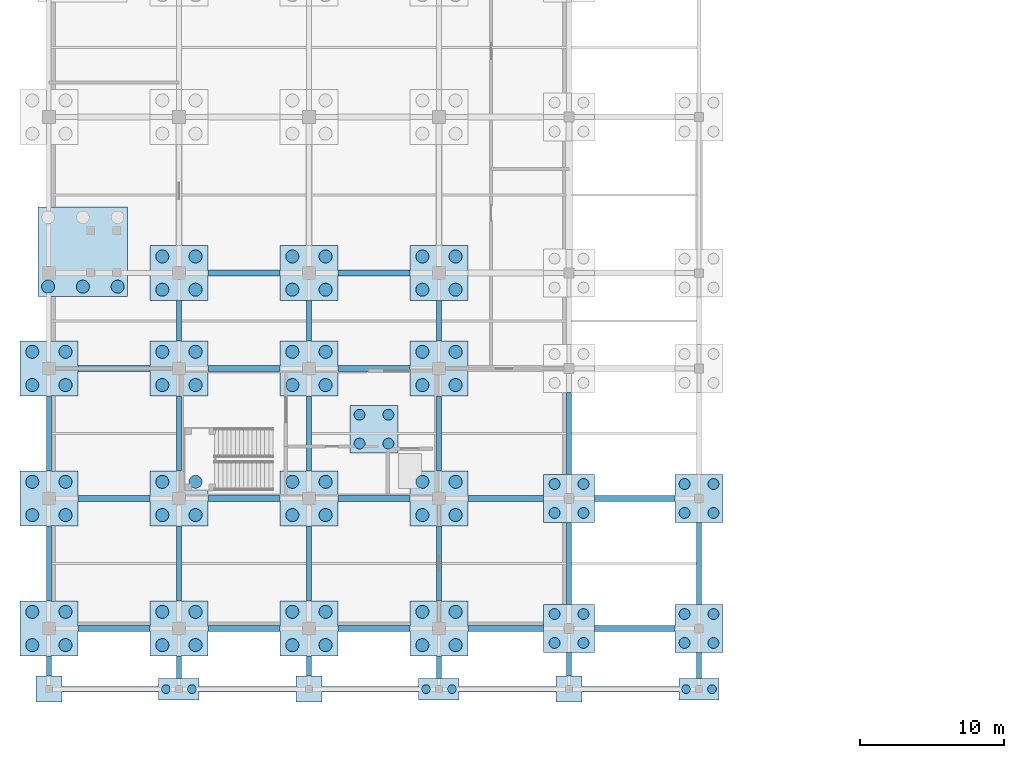
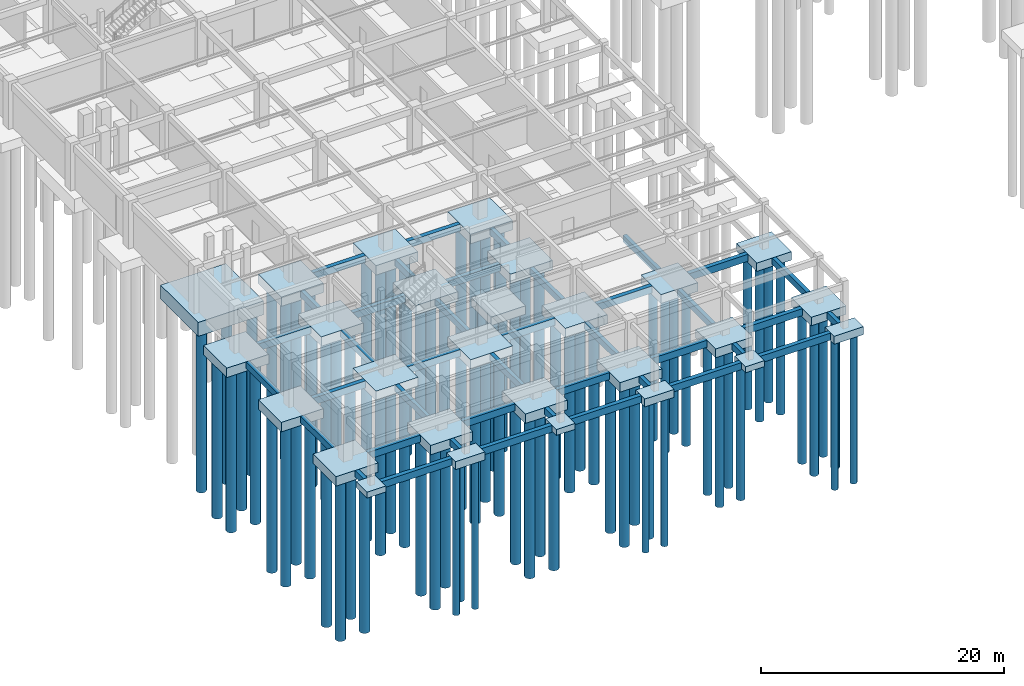
# One storey, part 1 of 33: 89 piles, 67 footings.
"""IFC4 building model written with IfcOpenShell, lengths in metres."""

from ifc_helpers import new_model, si_unit, direction, frame, origin, origin_2d, place, context, subcontext, project, spatial, rectangle, circle, extrude, material, material_profile, profile_set, type_object, element, save


model = new_model("IFC4")

# Units and contexts
model_context = context("Model", 3, precision=1e-05, world=origin(), true_north=direction((0.0, 1.0)))
body_context = subcontext(model_context, "Body", "Model", "MODEL_VIEW")
ifc_project = project(units=[si_unit("LENGTHUNIT", "METRE"), si_unit("AREAUNIT", "SQUARE_METRE"), si_unit("VOLUMEUNIT", "CUBIC_METRE"), si_unit("PLANEANGLEUNIT", "RADIAN"), si_unit("MASSUNIT", "GRAM", prefix="KILO")], contexts=[model_context])

# Site, building, storey
site_placement = place(None, origin())
site = spatial("IfcSite", under=ifc_project, at=site_placement, CompositionType="ELEMENT")
building_placement = place(site_placement, origin())
building = spatial("IfcBuilding", under=site, at=building_placement, Name="Suirenkawa Promenade Aquatics Centre", CompositionType="ELEMENT")
storey_placement = place(building_placement, frame((0.0, 0.0, -4.800048828125)))
storey = spatial("IfcBuildingStorey", under=building, at=storey_placement, Name="B1", CompositionType="ELEMENT", Elevation=-4.800048828125)

# Footings
ifc_material = material(Name="Concrete M35", Category="concrete")
footing_type_1 = type_object("IfcFootingType", Name="FT-GB-350x650", PredefinedType="FOOTING_BEAM", material=ifc_material)
footing_1_placement = place(storey_placement, frame((0.0, 1.60009765625, -0.64990234375), z_axis=(0.0, 0.0, 1.0), x_axis=(0.0, 1.0, 0.0)))
element("IfcFooting", 1, at=footing_1_placement, inside=storey, type_object=footing_type_1, Name="Ground tie beam GB-06 GB-0166", PredefinedType="FOOTING_BEAM", context=body_context, shape_type="SweptSolid", body=[
    extrude(rectangle(XDim=1.39990234375, YDim=0.35009765625, at=origin_2d()), origin(), (0.0, 0.0, 1.0), 0.64990234375),
])
for number, where, z_axis, x_axis, name in (
    (2, (0.0, 8.699951171875, -0.64990234375), (0.0, 0.0, 1.0), (0.0, 1.0, 0.0), "Ground tie beam GB-06 GB-0167"),
    (3, (0.0, 17.699951171875, -0.64990234375), (0.0, 0.0, 1.0), (0.0, 1.0, 0.0), "Ground tie beam GB-06 GB-0168"),
):
    element("IfcFooting", number, at=place(storey_placement, frame(where, z_axis=z_axis, x_axis=x_axis)), inside=storey, type_object=footing_type_1, Name=name, PredefinedType="FOOTING_BEAM", context=body_context, shape_type="SweptSolid", body=[
        extrude(rectangle(XDim=5.199951171875, YDim=0.35009765625, at=origin_2d()), origin(), (0.0, 0.0, 1.0), 0.64990234375),
    ])
footing_2_placement = place(storey_placement, frame((9.0, 1.52490234375, -0.64990234375), z_axis=(0.0, 0.0, 1.0), x_axis=(0.0, 1.0, 0.0)))
element("IfcFooting", 4, at=footing_2_placement, inside=storey, type_object=footing_type_1, Name="Ground tie beam GB-06 GB-0175", PredefinedType="FOOTING_BEAM", context=body_context, shape_type="SweptSolid", body=[
    extrude(rectangle(XDim=1.550048828125, YDim=0.35009765625, at=origin_2d()), origin(), (0.0, 0.0, 1.0), 0.64990234375),
])
for number, where, z_axis, x_axis, name in (
    (5, (9.0, 8.699951171875, -0.64990234375), (0.0, 0.0, 1.0), (0.0, 1.0, 0.0), "Ground tie beam GB-06 GB-0176"),
    (6, (9.0, 17.699951171875, -0.64990234375), (0.0, 0.0, 1.0), (0.0, 1.0, 0.0), "Ground tie beam GB-06 GB-0177"),
):
    element("IfcFooting", number, at=place(storey_placement, frame(where, z_axis=z_axis, x_axis=x_axis)), inside=storey, type_object=footing_type_1, Name=name, PredefinedType="FOOTING_BEAM", context=body_context, shape_type="SweptSolid", body=[
        extrude(rectangle(XDim=5.199951171875, YDim=0.35009765625, at=origin_2d()), origin(), (0.0, 0.0, 1.0), 0.64990234375),
    ])
footing_3_placement = place(storey_placement, frame((9.0, 25.5, -0.64990234375), z_axis=(0.0, 0.0, 1.0), x_axis=(0.0, 1.0, 0.0)))
element("IfcFooting", 7, at=footing_3_placement, inside=storey, type_object=footing_type_1, Name="Ground tie beam GB-06 GB-0178", PredefinedType="FOOTING_BEAM", context=body_context, shape_type="SweptSolid", body=[
    extrude(rectangle(XDim=2.800048828125, YDim=0.35009765625, at=origin_2d()), origin(), (0.0, 0.0, 1.0), 0.64990234375),
])
footing_4_placement = place(storey_placement, frame((18.0, 1.60009765625, -0.64990234375), z_axis=(0.0, 0.0, 1.0), x_axis=(0.0, 1.0, 0.0)))
element("IfcFooting", 8, at=footing_4_placement, inside=storey, type_object=footing_type_1, Name="Ground tie beam GB-06 GB-0188", PredefinedType="FOOTING_BEAM", context=body_context, shape_type="SweptSolid", body=[
    extrude(rectangle(XDim=1.39990234375, YDim=0.35009765625, at=origin_2d()), origin(), (0.0, 0.0, 1.0), 0.64990234375),
])
for number, where, z_axis, x_axis, name in (
    (9, (18.0, 8.699951171875, -0.64990234375), (0.0, 0.0, 1.0), (0.0, 1.0, 0.0), "Ground tie beam GB-06 GB-0189"),
    (10, (18.0, 17.699951171875, -0.64990234375), (0.0, 0.0, 1.0), (0.0, 1.0, 0.0), "Ground tie beam GB-06 GB-0190"),
):
    element("IfcFooting", number, at=place(storey_placement, frame(where, z_axis=z_axis, x_axis=x_axis)), inside=storey, type_object=footing_type_1, Name=name, PredefinedType="FOOTING_BEAM", context=body_context, shape_type="SweptSolid", body=[
        extrude(rectangle(XDim=5.199951171875, YDim=0.35009765625, at=origin_2d()), origin(), (0.0, 0.0, 1.0), 0.64990234375),
    ])
footing_5_placement = place(storey_placement, frame((18.0, 25.5, -0.64990234375), z_axis=(0.0, 0.0, 1.0), x_axis=(0.0, 1.0, 0.0)))
element("IfcFooting", 11, at=footing_5_placement, inside=storey, type_object=footing_type_1, Name="Ground tie beam GB-06 GB-0191", PredefinedType="FOOTING_BEAM", context=body_context, shape_type="SweptSolid", body=[
    extrude(rectangle(XDim=2.800048828125, YDim=0.35009765625, at=origin_2d()), origin(), (0.0, 0.0, 1.0), 0.64990234375),
])
footing_6_placement = place(storey_placement, frame((27.0, 1.52490234375, -0.64990234375), z_axis=(0.0, 0.0, 1.0), x_axis=(0.0, 1.0, 0.0)))
element("IfcFooting", 12, at=footing_6_placement, inside=storey, type_object=footing_type_1, Name="Ground tie beam GB-06 GB-0201", PredefinedType="FOOTING_BEAM", context=body_context, shape_type="SweptSolid", body=[
    extrude(rectangle(XDim=1.550048828125, YDim=0.35009765625, at=origin_2d()), origin(), (0.0, 0.0, 1.0), 0.64990234375),
])
for number, where, z_axis, x_axis, name in (
    (13, (27.0, 8.699951171875, -0.64990234375), (0.0, 0.0, 1.0), (0.0, 1.0, 0.0), "Ground tie beam GB-06 GB-0202"),
    (14, (27.0, 17.699951171875, -0.64990234375), (0.0, 0.0, 1.0), (0.0, 1.0, 0.0), "Ground tie beam GB-06 GB-0203"),
):
    element("IfcFooting", number, at=place(storey_placement, frame(where, z_axis=z_axis, x_axis=x_axis)), inside=storey, type_object=footing_type_1, Name=name, PredefinedType="FOOTING_BEAM", context=body_context, shape_type="SweptSolid", body=[
        extrude(rectangle(XDim=5.199951171875, YDim=0.35009765625, at=origin_2d()), origin(), (0.0, 0.0, 1.0), 0.64990234375),
    ])
footing_7_placement = place(storey_placement, frame((27.0, 25.5, -0.64990234375), z_axis=(0.0, 0.0, 1.0), x_axis=(0.0, 1.0, 0.0)))
element("IfcFooting", 15, at=footing_7_placement, inside=storey, type_object=footing_type_1, Name="Ground tie beam GB-06 GB-0204", PredefinedType="FOOTING_BEAM", context=body_context, shape_type="SweptSolid", body=[
    extrude(rectangle(XDim=2.800048828125, YDim=0.35009765625, at=origin_2d()), origin(), (0.0, 0.0, 1.0), 0.64990234375),
])
footing_8_placement = place(storey_placement, frame((36.0, 1.72509765625, -0.64990234375), z_axis=(0.0, 0.0, 1.0), x_axis=(0.0, 1.0, 0.0)))
element("IfcFooting", 16, at=footing_8_placement, inside=storey, type_object=footing_type_1, Name="Ground tie beam GB-06 GB-0214", PredefinedType="FOOTING_BEAM", context=body_context, shape_type="SweptSolid", body=[
    extrude(rectangle(XDim=1.64990234375, YDim=0.35009765625, at=origin_2d()), origin(), (0.0, 0.0, 1.0), 0.64990234375),
])
for number, where, z_axis, x_axis, name in (
    (17, (36.0, 8.699951171875, -0.64990234375), (0.0, 0.0, 1.0), (0.0, 1.0, 0.0), "Ground tie beam GB-06 GB-0215"),
    (18, (36.0, 17.699951171875, -0.64990234375), (0.0, 0.0, 1.0), (0.0, 1.0, 0.0), "Ground tie beam GB-06 GB-0216"),
):
    element("IfcFooting", number, at=place(storey_placement, frame(where, z_axis=z_axis, x_axis=x_axis)), inside=storey, type_object=footing_type_1, Name=name, PredefinedType="FOOTING_BEAM", context=body_context, shape_type="SweptSolid", body=[
        extrude(rectangle(XDim=5.699951171875, YDim=0.35009765625, at=origin_2d()), origin(), (0.0, 0.0, 1.0), 0.64990234375),
    ])
footing_9_placement = place(storey_placement, frame((45.0, 1.64990234375, -0.64990234375), z_axis=(0.0, 0.0, 1.0), x_axis=(0.0, 1.0, 0.0)))
element("IfcFooting", 19, at=footing_9_placement, inside=storey, type_object=footing_type_1, Name="Ground tie beam GB-06 GB-0227", PredefinedType="FOOTING_BEAM", context=body_context, shape_type="SweptSolid", body=[
    extrude(rectangle(XDim=1.800048828125, YDim=0.35009765625, at=origin_2d()), origin(), (0.0, 0.0, 1.0), 0.64990234375),
])
footing_10_placement = place(storey_placement, frame((45.0, 8.699951171875, -0.64990234375), z_axis=(0.0, 0.0, 1.0), x_axis=(0.0, 1.0, 0.0)))
element("IfcFooting", 20, at=footing_10_placement, inside=storey, type_object=footing_type_1, Name="Ground tie beam GB-06 GB-0228", PredefinedType="FOOTING_BEAM", context=body_context, shape_type="SweptSolid", body=[
    extrude(rectangle(XDim=5.699951171875, YDim=0.35009765625, at=origin_2d()), origin(), (0.0, 0.0, 1.0), 0.64990234375),
])
footing_type_2 = type_object("IfcFootingType", Name="FT-GB-400x700", PredefinedType="FOOTING_BEAM", material=ifc_material)
for number, where, z_axis, x_axis, name in (
    (21, (4.25, 0.0, -0.69970703125), (0.0, 0.0, 1.0), (1.0, 0.0, 0.0), "Ground tie beam GB-01 GB-0001"),
    (22, (13.75, 0.0, -0.69970703125), (0.0, 0.0, 1.0), (1.0, 0.0, 0.0), "Ground tie beam GB-01 GB-0002"),
    (23, (22.25, 0.0, -0.69970703125), (0.0, 0.0, 1.0), (1.0, 0.0, 0.0), "Ground tie beam GB-01 GB-0003"),
    (24, (31.75, 0.0, -0.69970703125), (0.0, 0.0, 1.0), (1.0, 0.0, 0.0), "Ground tie beam GB-01 GB-0004"),
    (25, (40.25, 0.0, -0.69970703125), (0.0, 0.0, 1.0), (1.0, 0.0, 0.0), "Ground tie beam GB-01 GB-0005"),
):
    element("IfcFooting", number, at=place(storey_placement, frame(where, z_axis=z_axis, x_axis=x_axis)), inside=storey, type_object=footing_type_2, Name=name, PredefinedType="FOOTING_BEAM", context=body_context, shape_type="SweptSolid", body=[
        extrude(rectangle(XDim=6.699951171875, YDim=0.39990234375, at=origin_2d()), origin(), (0.0, 0.0, 1.0), 0.699951171875),
    ])
for number, where, z_axis, x_axis, name in (
    (26, (4.5, 4.199951171875, -0.69970703125), (0.0, 0.0, 1.0), (1.0, 0.0, 0.0), "Ground tie beam GB-01 GB-0013"),
    (27, (13.5, 4.199951171875, -0.69970703125), (0.0, 0.0, 1.0), (1.0, 0.0, 0.0), "Ground tie beam GB-01 GB-0014"),
    (28, (22.5, 4.199951171875, -0.69970703125), (0.0, 0.0, 1.0), (1.0, 0.0, 0.0), "Ground tie beam GB-01 GB-0015"),
):
    element("IfcFooting", number, at=place(storey_placement, frame(where, z_axis=z_axis, x_axis=x_axis)), inside=storey, type_object=footing_type_2, Name=name, PredefinedType="FOOTING_BEAM", context=body_context, shape_type="SweptSolid", body=[
        extrude(rectangle(XDim=5.0, YDim=0.39990234375, at=origin_2d()), origin(), (0.0, 0.0, 1.0), 0.699951171875),
    ])
footing_11_placement = place(storey_placement, frame((31.625, 4.199951171875, -0.69970703125), z_axis=(0.0, 0.0, 1.0), x_axis=(1.0, 0.0, 0.0)))
element("IfcFooting", 29, at=footing_11_placement, inside=storey, type_object=footing_type_2, Name="Ground tie beam GB-01 GB-0016", PredefinedType="FOOTING_BEAM", context=body_context, shape_type="SweptSolid", body=[
    extrude(rectangle(XDim=5.25, YDim=0.39990234375, at=origin_2d()), origin(), (0.0, 0.0, 1.0), 0.699951171875),
])
footing_12_placement = place(storey_placement, frame((40.550048828125, 4.199951171875, -0.69970703125), z_axis=(0.0, 0.0, 1.0), x_axis=(1.0, 0.0, 0.0)))
element("IfcFooting", 30, at=footing_12_placement, inside=storey, type_object=footing_type_2, Name="Ground tie beam GB-01 GB-0017", PredefinedType="FOOTING_BEAM", context=body_context, shape_type="SweptSolid", body=[
    extrude(rectangle(XDim=5.60009765625, YDim=0.39990234375, at=origin_2d()), origin(), (0.0, 0.0, 1.0), 0.699951171875),
])
for number, where, z_axis, x_axis, name in (
    (31, (4.5, 13.199951171875, -0.69970703125), (0.0, 0.0, 1.0), (1.0, 0.0, 0.0), "Ground tie beam GB-01 GB-0029"),
    (32, (13.5, 13.199951171875, -0.69970703125), (0.0, 0.0, 1.0), (1.0, 0.0, 0.0), "Ground tie beam GB-01 GB-0030"),
    (33, (22.5, 13.199951171875, -0.69970703125), (0.0, 0.0, 1.0), (1.0, 0.0, 0.0), "Ground tie beam GB-01 GB-0031"),
):
    element("IfcFooting", number, at=place(storey_placement, frame(where, z_axis=z_axis, x_axis=x_axis)), inside=storey, type_object=footing_type_2, Name=name, PredefinedType="FOOTING_BEAM", context=body_context, shape_type="SweptSolid", body=[
        extrude(rectangle(XDim=5.0, YDim=0.39990234375, at=origin_2d()), origin(), (0.0, 0.0, 1.0), 0.699951171875),
    ])
footing_13_placement = place(storey_placement, frame((31.625, 13.199951171875, -0.69970703125), z_axis=(0.0, 0.0, 1.0), x_axis=(1.0, 0.0, 0.0)))
element("IfcFooting", 34, at=footing_13_placement, inside=storey, type_object=footing_type_2, Name="Ground tie beam GB-01 GB-0032", PredefinedType="FOOTING_BEAM", context=body_context, shape_type="SweptSolid", body=[
    extrude(rectangle(XDim=5.25, YDim=0.39990234375, at=origin_2d()), origin(), (0.0, 0.0, 1.0), 0.699951171875),
])
footing_14_placement = place(storey_placement, frame((40.550048828125, 13.199951171875, -0.69970703125), z_axis=(0.0, 0.0, 1.0), x_axis=(1.0, 0.0, 0.0)))
element("IfcFooting", 35, at=footing_14_placement, inside=storey, type_object=footing_type_2, Name="Ground tie beam GB-01 GB-0033", PredefinedType="FOOTING_BEAM", context=body_context, shape_type="SweptSolid", body=[
    extrude(rectangle(XDim=5.60009765625, YDim=0.39990234375, at=origin_2d()), origin(), (0.0, 0.0, 1.0), 0.699951171875),
])
for number, where, z_axis, x_axis, name in (
    (36, (4.5, 22.199951171875, -0.69970703125), (0.0, 0.0, 1.0), (1.0, 0.0, 0.0), "Ground tie beam GB-01 GB-0043"),
    (37, (13.5, 22.199951171875, -0.69970703125), (0.0, 0.0, 1.0), (1.0, 0.0, 0.0), "Ground tie beam GB-01 GB-0044"),
    (38, (22.5, 22.199951171875, -0.69970703125), (0.0, 0.0, 1.0), (1.0, 0.0, 0.0), "Ground tie beam GB-01 GB-0045"),
    (39, (13.5, 28.800048828125, -0.69970703125), (0.0, 0.0, 1.0), (1.0, 0.0, 0.0), "Ground tie beam GB-01 GB-0052"),
    (40, (22.5, 28.800048828125, -0.69970703125), (0.0, 0.0, 1.0), (1.0, 0.0, 0.0), "Ground tie beam GB-01 GB-0053"),
):
    element("IfcFooting", number, at=place(storey_placement, frame(where, z_axis=z_axis, x_axis=x_axis)), inside=storey, type_object=footing_type_2, Name=name, PredefinedType="FOOTING_BEAM", context=body_context, shape_type="SweptSolid", body=[
        extrude(rectangle(XDim=5.0, YDim=0.39990234375, at=origin_2d()), origin(), (0.0, 0.0, 1.0), 0.699951171875),
    ])
footing_type_3 = type_object("IfcFootingType", Name="FT-PAD-1800x1800x600", PredefinedType="PAD_FOOTING", material=ifc_material)
for number, where, z_axis, x_axis, name in (
    (41, (0.0, 0.0, -0.60009765625), (0.0, 0.0, 1.0), (1.0, 0.0, 0.0), "Foundation PF-01 CAP-001"),
    (42, (18.0, 0.0, -0.60009765625), (0.0, 0.0, 1.0), (1.0, 0.0, 0.0), "Foundation PF-01 CAP-003"),
    (43, (36.0, 0.0, -0.60009765625), (0.0, 0.0, 1.0), (1.0, 0.0, 0.0), "Foundation PF-01 CAP-005"),
):
    element("IfcFooting", number, at=place(storey_placement, frame(where, z_axis=z_axis, x_axis=x_axis)), inside=storey, type_object=footing_type_3, Name=name, PredefinedType="PAD_FOOTING", context=body_context, shape_type="SweptSolid", body=[
        extrude(rectangle(XDim=1.800048828125, YDim=1.800048828125, at=origin_2d()), origin(), (0.0, 0.0, 1.0), 0.60009765625),
    ])
footing_type_4 = type_object("IfcFootingType", Name="FT-PC-2800x1500x800", PredefinedType="PILE_CAP", material=ifc_material)
for number, where, z_axis, x_axis, name in (
    (44, (9.0, 0.0, -0.7998046875), (0.0, 0.0, 1.0), (1.0, 0.0, 0.0), "Foundation PC-01 CAP-002"),
    (45, (27.0, 0.0, -0.7998046875), (0.0, 0.0, 1.0), (1.0, 0.0, 0.0), "Foundation PC-01 CAP-004"),
    (46, (45.0, 0.0, -0.7998046875), (0.0, 0.0, 1.0), (1.0, 0.0, 0.0), "Foundation PC-01 CAP-006"),
):
    element("IfcFooting", number, at=place(storey_placement, frame(where, z_axis=z_axis, x_axis=x_axis)), inside=storey, type_object=footing_type_4, Name=name, PredefinedType="PILE_CAP", context=body_context, shape_type="SweptSolid", body=[
        extrude(rectangle(XDim=2.800048828125, YDim=1.5, at=origin_2d()), origin(), (0.0, 0.0, 1.0), 0.800048828125),
    ])
footing_type_5 = type_object("IfcFootingType", Name="FT-PC-3300x3300x850", PredefinedType="PILE_CAP", material=ifc_material)
for number, where, z_axis, x_axis, name in (
    (47, (45.0, 4.199951171875, -0.85009765625), (0.0, 0.0, 1.0), (1.0, 0.0, 0.0), "Foundation PC-02 CAP-020"),
    (48, (45.0, 13.199951171875, -0.85009765625), (0.0, 0.0, 1.0), (1.0, 0.0, 0.0), "Foundation PC-02 CAP-038"),
):
    element("IfcFooting", number, at=place(storey_placement, frame(where, z_axis=z_axis, x_axis=x_axis)), inside=storey, type_object=footing_type_5, Name=name, PredefinedType="PILE_CAP", context=body_context, shape_type="SweptSolid", body=[
        extrude(rectangle(XDim=3.300048828125, YDim=3.300048828125, at=origin_2d()), origin(), (0.0, 0.0, 1.0), 0.85009765625),
    ])
footing_type_6 = type_object("IfcFootingType", Name="FT-PC-3500x3300x880", PredefinedType="PILE_CAP", material=ifc_material)
for number, where, z_axis, x_axis, name in (
    (49, (36.0, 4.199951171875, -0.8798828125), (0.0, 0.0, 1.0), (1.0, 0.0, 0.0), "Foundation PC-03 CAP-019"),
    (50, (36.0, 13.199951171875, -0.8798828125), (0.0, 0.0, 1.0), (1.0, 0.0, 0.0), "Foundation PC-03 CAP-037"),
):
    element("IfcFooting", number, at=place(storey_placement, frame(where, z_axis=z_axis, x_axis=x_axis)), inside=storey, type_object=footing_type_6, Name=name, PredefinedType="PILE_CAP", context=body_context, shape_type="SweptSolid", body=[
        extrude(rectangle(XDim=3.5, YDim=3.300048828125, at=origin_2d()), origin(), (0.0, 0.0, 1.0), 0.8798828125),
    ])
footing_type_7 = type_object("IfcFootingType", Name="FT-PC-4000x3800x950", PredefinedType="PILE_CAP", material=ifc_material)
for number, where, z_axis, x_axis, name in (
    (51, (0.0, 4.199951171875, -0.94970703125), (0.0, 0.0, 1.0), (1.0, 0.0, 0.0), "Foundation PC-05 CAP-015"),
    (52, (9.0, 4.199951171875, -0.94970703125), (0.0, 0.0, 1.0), (1.0, 0.0, 0.0), "Foundation PC-05 CAP-016"),
    (53, (18.0, 4.199951171875, -0.94970703125), (0.0, 0.0, 1.0), (1.0, 0.0, 0.0), "Foundation PC-05 CAP-017"),
    (54, (27.0, 4.199951171875, -0.94970703125), (0.0, 0.0, 1.0), (1.0, 0.0, 0.0), "Foundation PC-05 CAP-018"),
    (55, (0.0, 13.199951171875, -0.94970703125), (0.0, 0.0, 1.0), (1.0, 0.0, 0.0), "Foundation PC-05 CAP-033"),
    (56, (9.0, 13.199951171875, -0.94970703125), (0.0, 0.0, 1.0), (1.0, 0.0, 0.0), "Foundation PC-05 CAP-034"),
    (57, (18.0, 13.199951171875, -0.94970703125), (0.0, 0.0, 1.0), (1.0, 0.0, 0.0), "Foundation PC-05 CAP-035"),
    (58, (27.0, 13.199951171875, -0.94970703125), (0.0, 0.0, 1.0), (1.0, 0.0, 0.0), "Foundation PC-05 CAP-036"),
    (59, (0.0, 22.199951171875, -0.94970703125), (0.0, 0.0, 1.0), (1.0, 0.0, 0.0), "Foundation PC-05 CAP-053"),
    (60, (9.0, 22.199951171875, -0.94970703125), (0.0, 0.0, 1.0), (1.0, 0.0, 0.0), "Foundation PC-05 CAP-054"),
    (61, (18.0, 22.199951171875, -0.94970703125), (0.0, 0.0, 1.0), (1.0, 0.0, 0.0), "Foundation PC-05 CAP-055"),
    (62, (27.0, 22.199951171875, -0.94970703125), (0.0, 0.0, 1.0), (1.0, 0.0, 0.0), "Foundation PC-05 CAP-056"),
    (63, (9.0, 28.800048828125, -0.94970703125), (0.0, 0.0, 1.0), (1.0, 0.0, 0.0), "Foundation PC-05 CAP-065"),
    (64, (18.0, 28.800048828125, -0.94970703125), (0.0, 0.0, 1.0), (1.0, 0.0, 0.0), "Foundation PC-05 CAP-066"),
    (65, (27.0, 28.800048828125, -0.94970703125), (0.0, 0.0, 1.0), (1.0, 0.0, 0.0), "Foundation PC-05 CAP-067"),
):
    element("IfcFooting", number, at=place(storey_placement, frame(where, z_axis=z_axis, x_axis=x_axis)), inside=storey, type_object=footing_type_7, Name=name, PredefinedType="PILE_CAP", context=body_context, shape_type="SweptSolid", body=[
        extrude(rectangle(XDim=4.0, YDim=3.800048828125, at=origin_2d()), origin(), (0.0, 0.0, 1.0), 0.949951171875),
    ])
footing_type_8 = type_object("IfcFootingType", Name="FT-PC-RAFT-3300x3300x850", PredefinedType="PILE_CAP", material=ifc_material)
footing_15_placement = place(storey_placement, frame((22.5, 18.0, -1.330078125), z_axis=(0.0, 0.0, 1.0), x_axis=(1.0, 0.0, 0.0)))
element("IfcFooting", 66, at=footing_15_placement, inside=storey, type_object=footing_type_8, Name="Foundation PC-12 CAP-220", PredefinedType="PILE_CAP", context=body_context, shape_type="SweptSolid", body=[
    extrude(rectangle(XDim=3.300048828125, YDim=3.300048828125, at=origin_2d()), origin(), (0.0, 0.0, 1.0), 0.85009765625),
])
footing_type_9 = type_object("IfcFootingType", Name="FT-PCC-6210x6200", PredefinedType="PILE_CAP", material=ifc_material)
footing_16_placement = place(storey_placement, frame((2.35302734375, 30.262939453125, -1.39990234375), z_axis=(0.0, 0.0, 1.0), x_axis=(1.0, 0.0, 0.0)))
element("IfcFooting", 67, at=footing_16_placement, inside=storey, type_object=footing_type_9, Name="Foundation PCC-04 CAP-064", PredefinedType="PILE_CAP", context=body_context, shape_type="SweptSolid", body=[
    extrude(rectangle(XDim=6.2099609375, YDim=6.199951171875, at=origin_2d()), origin(), (0.0, 0.0, 1.0), 1.39990234375),
])

# Piles
ifc_material_profile_1 = material_profile(ifc_material, circle(Radius=0.300048828125, at=origin_2d()), Name="PILE D600", Category="concrete")
ifc_profile_set_1 = profile_set([ifc_material_profile_1], Name="Concrete M35")
pile_type_1 = type_object("IfcPileType", Name="PT-BORED-600", PredefinedType="BORED", material=ifc_profile_set_1)
for number, where, z_axis, x_axis, name in (
    (68, (8.10009765625, 0.0, -0.699951171875), (0.0, 0.0, -1.0), (1.0, 0.0, 0.0), "Bored pile PL-01 PL-0001"),
    (69, (9.89990234375, 0.0, -0.699951171875), (0.0, 0.0, -1.0), (1.0, 0.0, 0.0), "Bored pile PL-01 PL-0002"),
    (70, (26.10009765625, 0.0, -0.699951171875), (0.0, 0.0, -1.0), (1.0, 0.0, 0.0), "Bored pile PL-01 PL-0003"),
    (71, (27.89990234375, 0.0, -0.699951171875), (0.0, 0.0, -1.0), (1.0, 0.0, 0.0), "Bored pile PL-01 PL-0004"),
    (72, (44.10009765625, 0.0, -0.699951171875), (0.0, 0.0, -1.0), (1.0, 0.0, 0.0), "Bored pile PL-01 PL-0005"),
    (73, (45.89990234375, 0.0, -0.699951171875), (0.0, 0.0, -1.0), (1.0, 0.0, 0.0), "Bored pile PL-01 PL-0006"),
):
    element("IfcPile", number, at=place(storey_placement, frame(where, z_axis=z_axis, x_axis=x_axis)), inside=storey, type_object=pile_type_1, Name=name, PredefinedType="BORED", context=body_context, shape_type="SweptSolid", body=[
        extrude(circle(Radius=0.300048828125, at=origin_2d()), origin(), (0.0, 0.0, 1.0), 15.199951171875),
    ])
ifc_material_profile_2 = material_profile(ifc_material, circle(Radius=0.375, at=origin_2d()), Name="PILE D750", Category="concrete")
ifc_profile_set_2 = profile_set([ifc_material_profile_2], Name="Concrete M35")
pile_type_2 = type_object("IfcPileType", Name="PT-BORED-750", PredefinedType="BORED", material=ifc_profile_set_2)
for number, where, z_axis, x_axis, name in (
    (74, (35.0, 3.199951171875, -0.75), (0.0, 0.0, -1.0), (1.0, 0.0, 0.0), "Bored pile PL-02 PL-0055"),
    (75, (35.0, 5.199951171875, -0.75), (0.0, 0.0, -1.0), (1.0, 0.0, 0.0), "Bored pile PL-02 PL-0056"),
    (76, (37.0, 3.199951171875, -0.75), (0.0, 0.0, -1.0), (1.0, 0.0, 0.0), "Bored pile PL-02 PL-0057"),
    (77, (37.0, 5.199951171875, -0.75), (0.0, 0.0, -1.0), (1.0, 0.0, 0.0), "Bored pile PL-02 PL-0058"),
    (78, (44.0, 3.199951171875, -0.75), (0.0, 0.0, -1.0), (1.0, 0.0, 0.0), "Bored pile PL-02 PL-0059"),
    (79, (44.0, 5.199951171875, -0.75), (0.0, 0.0, -1.0), (1.0, 0.0, 0.0), "Bored pile PL-02 PL-0060"),
    (80, (46.0, 3.199951171875, -0.75), (0.0, 0.0, -1.0), (1.0, 0.0, 0.0), "Bored pile PL-02 PL-0061"),
    (81, (46.0, 5.199951171875, -0.75), (0.0, 0.0, -1.0), (1.0, 0.0, 0.0), "Bored pile PL-02 PL-0062"),
    (82, (35.0, 12.199951171875, -0.75), (0.0, 0.0, -1.0), (1.0, 0.0, 0.0), "Bored pile PL-02 PL-0127"),
    (83, (35.0, 14.199951171875, -0.75), (0.0, 0.0, -1.0), (1.0, 0.0, 0.0), "Bored pile PL-02 PL-0128"),
    (84, (37.0, 12.199951171875, -0.75), (0.0, 0.0, -1.0), (1.0, 0.0, 0.0), "Bored pile PL-02 PL-0129"),
    (85, (37.0, 14.199951171875, -0.75), (0.0, 0.0, -1.0), (1.0, 0.0, 0.0), "Bored pile PL-02 PL-0130"),
    (86, (44.0, 12.199951171875, -0.75), (0.0, 0.0, -1.0), (1.0, 0.0, 0.0), "Bored pile PL-02 PL-0131"),
    (87, (44.0, 14.199951171875, -0.75), (0.0, 0.0, -1.0), (1.0, 0.0, 0.0), "Bored pile PL-02 PL-0132"),
    (88, (46.0, 12.199951171875, -0.75), (0.0, 0.0, -1.0), (1.0, 0.0, 0.0), "Bored pile PL-02 PL-0133"),
    (89, (46.0, 14.199951171875, -0.75), (0.0, 0.0, -1.0), (1.0, 0.0, 0.0), "Bored pile PL-02 PL-0134"),
):
    element("IfcPile", number, at=place(storey_placement, frame(where, z_axis=z_axis, x_axis=x_axis)), inside=storey, type_object=pile_type_2, Name=name, PredefinedType="BORED", context=body_context, shape_type="SweptSolid", body=[
        extrude(circle(Radius=0.375, at=origin_2d()), origin(), (0.0, 0.0, 1.0), 15.60009765625),
    ])
for number, where, z_axis, x_axis, name in (
    (90, (21.5, 17.0, -1.22998046875), (0.0, 0.0, -1.0), (1.0, 0.0, 0.0), "Bored pile PL-02 PL-0843"),
    (91, (21.5, 19.0, -1.22998046875), (0.0, 0.0, -1.0), (1.0, 0.0, 0.0), "Bored pile PL-02 PL-0844"),
    (92, (23.5, 17.0, -1.22998046875), (0.0, 0.0, -1.0), (1.0, 0.0, 0.0), "Bored pile PL-02 PL-0845"),
    (93, (23.5, 19.0, -1.22998046875), (0.0, 0.0, -1.0), (1.0, 0.0, 0.0), "Bored pile PL-02 PL-0846"),
):
    element("IfcPile", number, at=place(storey_placement, frame(where, z_axis=z_axis, x_axis=x_axis)), inside=storey, type_object=pile_type_2, Name=name, PredefinedType="BORED", context=body_context, shape_type="SweptSolid", body=[
        extrude(circle(Radius=0.375, at=origin_2d()), origin(), (0.0, 0.0, 1.0), 15.1201171875),
    ])
ifc_material_profile_3 = material_profile(ifc_material, circle(Radius=0.449951171875, at=origin_2d()), Name="PILE D900", Category="concrete")
ifc_profile_set_3 = profile_set([ifc_material_profile_3], Name="Concrete M35")
pile_type_3 = type_object("IfcPileType", Name="PT-BORED-900", PredefinedType="BORED", material=ifc_profile_set_3)
for number, where, z_axis, x_axis, name in (
    (94, (-1.14990234375, 3.050048828125, -0.800048828125), (0.0, 0.0, -1.0), (1.0, 0.0, 0.0), "Bored pile PL-03 PL-0039"),
    (95, (-1.14990234375, 5.35009765625, -0.800048828125), (0.0, 0.0, -1.0), (1.0, 0.0, 0.0), "Bored pile PL-03 PL-0040"),
    (96, (1.14990234375, 3.050048828125, -0.800048828125), (0.0, 0.0, -1.0), (1.0, 0.0, 0.0), "Bored pile PL-03 PL-0041"),
    (97, (1.14990234375, 5.35009765625, -0.800048828125), (0.0, 0.0, -1.0), (1.0, 0.0, 0.0), "Bored pile PL-03 PL-0042"),
    (98, (7.85009765625, 3.050048828125, -0.800048828125), (0.0, 0.0, -1.0), (1.0, 0.0, 0.0), "Bored pile PL-03 PL-0043"),
    (99, (7.85009765625, 5.35009765625, -0.800048828125), (0.0, 0.0, -1.0), (1.0, 0.0, 0.0), "Bored pile PL-03 PL-0044"),
    (100, (10.14990234375, 3.050048828125, -0.800048828125), (0.0, 0.0, -1.0), (1.0, 0.0, 0.0), "Bored pile PL-03 PL-0045"),
    (101, (10.14990234375, 5.35009765625, -0.800048828125), (0.0, 0.0, -1.0), (1.0, 0.0, 0.0), "Bored pile PL-03 PL-0046"),
    (102, (16.85009765625, 3.050048828125, -0.800048828125), (0.0, 0.0, -1.0), (1.0, 0.0, 0.0), "Bored pile PL-03 PL-0047"),
    (103, (16.85009765625, 5.35009765625, -0.800048828125), (0.0, 0.0, -1.0), (1.0, 0.0, 0.0), "Bored pile PL-03 PL-0048"),
    (104, (19.14990234375, 3.050048828125, -0.800048828125), (0.0, 0.0, -1.0), (1.0, 0.0, 0.0), "Bored pile PL-03 PL-0049"),
    (105, (19.14990234375, 5.35009765625, -0.800048828125), (0.0, 0.0, -1.0), (1.0, 0.0, 0.0), "Bored pile PL-03 PL-0050"),
    (106, (25.85009765625, 3.050048828125, -0.800048828125), (0.0, 0.0, -1.0), (1.0, 0.0, 0.0), "Bored pile PL-03 PL-0051"),
    (107, (25.85009765625, 5.35009765625, -0.800048828125), (0.0, 0.0, -1.0), (1.0, 0.0, 0.0), "Bored pile PL-03 PL-0052"),
    (108, (28.14990234375, 3.050048828125, -0.800048828125), (0.0, 0.0, -1.0), (1.0, 0.0, 0.0), "Bored pile PL-03 PL-0053"),
    (109, (28.14990234375, 5.35009765625, -0.800048828125), (0.0, 0.0, -1.0), (1.0, 0.0, 0.0), "Bored pile PL-03 PL-0054"),
    (110, (-1.14990234375, 12.050048828125, -0.800048828125), (0.0, 0.0, -1.0), (1.0, 0.0, 0.0), "Bored pile PL-03 PL-0111"),
    (111, (-1.14990234375, 14.35009765625, -0.800048828125), (0.0, 0.0, -1.0), (1.0, 0.0, 0.0), "Bored pile PL-03 PL-0112"),
    (112, (1.14990234375, 12.050048828125, -0.800048828125), (0.0, 0.0, -1.0), (1.0, 0.0, 0.0), "Bored pile PL-03 PL-0113"),
    (113, (1.14990234375, 14.35009765625, -0.800048828125), (0.0, 0.0, -1.0), (1.0, 0.0, 0.0), "Bored pile PL-03 PL-0114"),
    (114, (7.85009765625, 12.050048828125, -0.800048828125), (0.0, 0.0, -1.0), (1.0, 0.0, 0.0), "Bored pile PL-03 PL-0115"),
    (115, (7.85009765625, 14.35009765625, -0.800048828125), (0.0, 0.0, -1.0), (1.0, 0.0, 0.0), "Bored pile PL-03 PL-0116"),
    (116, (10.14990234375, 12.050048828125, -0.800048828125), (0.0, 0.0, -1.0), (1.0, 0.0, 0.0), "Bored pile PL-03 PL-0117"),
    (117, (10.14990234375, 14.35009765625, -0.800048828125), (0.0, 0.0, -1.0), (1.0, 0.0, 0.0), "Bored pile PL-03 PL-0118"),
    (118, (16.85009765625, 12.050048828125, -0.800048828125), (0.0, 0.0, -1.0), (1.0, 0.0, 0.0), "Bored pile PL-03 PL-0119"),
    (119, (16.85009765625, 14.35009765625, -0.800048828125), (0.0, 0.0, -1.0), (1.0, 0.0, 0.0), "Bored pile PL-03 PL-0120"),
    (120, (19.14990234375, 12.050048828125, -0.800048828125), (0.0, 0.0, -1.0), (1.0, 0.0, 0.0), "Bored pile PL-03 PL-0121"),
    (121, (19.14990234375, 14.35009765625, -0.800048828125), (0.0, 0.0, -1.0), (1.0, 0.0, 0.0), "Bored pile PL-03 PL-0122"),
    (122, (25.85009765625, 12.050048828125, -0.800048828125), (0.0, 0.0, -1.0), (1.0, 0.0, 0.0), "Bored pile PL-03 PL-0123"),
    (123, (25.85009765625, 14.35009765625, -0.800048828125), (0.0, 0.0, -1.0), (1.0, 0.0, 0.0), "Bored pile PL-03 PL-0124"),
    (124, (28.14990234375, 12.050048828125, -0.800048828125), (0.0, 0.0, -1.0), (1.0, 0.0, 0.0), "Bored pile PL-03 PL-0125"),
    (125, (28.14990234375, 14.35009765625, -0.800048828125), (0.0, 0.0, -1.0), (1.0, 0.0, 0.0), "Bored pile PL-03 PL-0126"),
    (126, (-1.14990234375, 21.050048828125, -0.800048828125), (0.0, 0.0, -1.0), (1.0, 0.0, 0.0), "Bored pile PL-03 PL-0191"),
    (127, (-1.14990234375, 23.35009765625, -0.800048828125), (0.0, 0.0, -1.0), (1.0, 0.0, 0.0), "Bored pile PL-03 PL-0192"),
    (128, (1.14990234375, 21.050048828125, -0.800048828125), (0.0, 0.0, -1.0), (1.0, 0.0, 0.0), "Bored pile PL-03 PL-0193"),
    (129, (1.14990234375, 23.35009765625, -0.800048828125), (0.0, 0.0, -1.0), (1.0, 0.0, 0.0), "Bored pile PL-03 PL-0194"),
    (130, (7.85009765625, 21.050048828125, -0.800048828125), (0.0, 0.0, -1.0), (1.0, 0.0, 0.0), "Bored pile PL-03 PL-0195"),
    (131, (7.85009765625, 23.35009765625, -0.800048828125), (0.0, 0.0, -1.0), (1.0, 0.0, 0.0), "Bored pile PL-03 PL-0196"),
    (132, (10.14990234375, 21.050048828125, -0.800048828125), (0.0, 0.0, -1.0), (1.0, 0.0, 0.0), "Bored pile PL-03 PL-0197"),
    (133, (10.14990234375, 23.35009765625, -0.800048828125), (0.0, 0.0, -1.0), (1.0, 0.0, 0.0), "Bored pile PL-03 PL-0198"),
    (134, (16.85009765625, 21.050048828125, -0.800048828125), (0.0, 0.0, -1.0), (1.0, 0.0, 0.0), "Bored pile PL-03 PL-0199"),
    (135, (16.85009765625, 23.35009765625, -0.800048828125), (0.0, 0.0, -1.0), (1.0, 0.0, 0.0), "Bored pile PL-03 PL-0200"),
    (136, (19.14990234375, 21.050048828125, -0.800048828125), (0.0, 0.0, -1.0), (1.0, 0.0, 0.0), "Bored pile PL-03 PL-0201"),
    (137, (19.14990234375, 23.35009765625, -0.800048828125), (0.0, 0.0, -1.0), (1.0, 0.0, 0.0), "Bored pile PL-03 PL-0202"),
    (138, (25.85009765625, 21.050048828125, -0.800048828125), (0.0, 0.0, -1.0), (1.0, 0.0, 0.0), "Bored pile PL-03 PL-0203"),
    (139, (25.85009765625, 23.35009765625, -0.800048828125), (0.0, 0.0, -1.0), (1.0, 0.0, 0.0), "Bored pile PL-03 PL-0204"),
    (140, (28.14990234375, 21.050048828125, -0.800048828125), (0.0, 0.0, -1.0), (1.0, 0.0, 0.0), "Bored pile PL-03 PL-0205"),
    (141, (28.14990234375, 23.35009765625, -0.800048828125), (0.0, 0.0, -1.0), (1.0, 0.0, 0.0), "Bored pile PL-03 PL-0206"),
    (142, (-0.052001953125, 27.863037109375, -1.300048828125), (0.0, 0.0, -1.0), (1.0, 0.0, 0.0), "Bored pile PL-03 PL-0235"),
    (143, (2.35302734375, 27.863037109375, -1.300048828125), (0.0, 0.0, -1.0), (1.0, 0.0, 0.0), "Bored pile PL-03 PL-0237"),
    (144, (4.758056640625, 27.863037109375, -1.300048828125), (0.0, 0.0, -1.0), (1.0, 0.0, 0.0), "Bored pile PL-03 PL-0239"),
    (145, (7.85009765625, 27.64990234375, -0.800048828125), (0.0, 0.0, -1.0), (1.0, 0.0, 0.0), "Bored pile PL-03 PL-0241"),
    (146, (7.85009765625, 29.949951171875, -0.800048828125), (0.0, 0.0, -1.0), (1.0, 0.0, 0.0), "Bored pile PL-03 PL-0242"),
    (147, (10.14990234375, 27.64990234375, -0.800048828125), (0.0, 0.0, -1.0), (1.0, 0.0, 0.0), "Bored pile PL-03 PL-0243"),
    (148, (10.14990234375, 29.949951171875, -0.800048828125), (0.0, 0.0, -1.0), (1.0, 0.0, 0.0), "Bored pile PL-03 PL-0244"),
    (149, (16.85009765625, 27.64990234375, -0.800048828125), (0.0, 0.0, -1.0), (1.0, 0.0, 0.0), "Bored pile PL-03 PL-0245"),
    (150, (16.85009765625, 29.949951171875, -0.800048828125), (0.0, 0.0, -1.0), (1.0, 0.0, 0.0), "Bored pile PL-03 PL-0246"),
    (151, (19.14990234375, 27.64990234375, -0.800048828125), (0.0, 0.0, -1.0), (1.0, 0.0, 0.0), "Bored pile PL-03 PL-0247"),
    (152, (19.14990234375, 29.949951171875, -0.800048828125), (0.0, 0.0, -1.0), (1.0, 0.0, 0.0), "Bored pile PL-03 PL-0248"),
    (153, (25.85009765625, 27.64990234375, -0.800048828125), (0.0, 0.0, -1.0), (1.0, 0.0, 0.0), "Bored pile PL-03 PL-0249"),
    (154, (25.85009765625, 29.949951171875, -0.800048828125), (0.0, 0.0, -1.0), (1.0, 0.0, 0.0), "Bored pile PL-03 PL-0250"),
    (155, (28.14990234375, 27.64990234375, -0.800048828125), (0.0, 0.0, -1.0), (1.0, 0.0, 0.0), "Bored pile PL-03 PL-0251"),
    (156, (28.14990234375, 29.949951171875, -0.800048828125), (0.0, 0.0, -1.0), (1.0, 0.0, 0.0), "Bored pile PL-03 PL-0252"),
):
    element("IfcPile", number, at=place(storey_placement, frame(where, z_axis=z_axis, x_axis=x_axis)), inside=storey, type_object=pile_type_3, Name=name, PredefinedType="BORED", context=body_context, shape_type="SweptSolid", body=[
        extrude(circle(Radius=0.449951171875, at=origin_2d()), origin(), (0.0, 0.0, 1.0), 16.199951171875),
    ])

save(model, "model.ifc")
